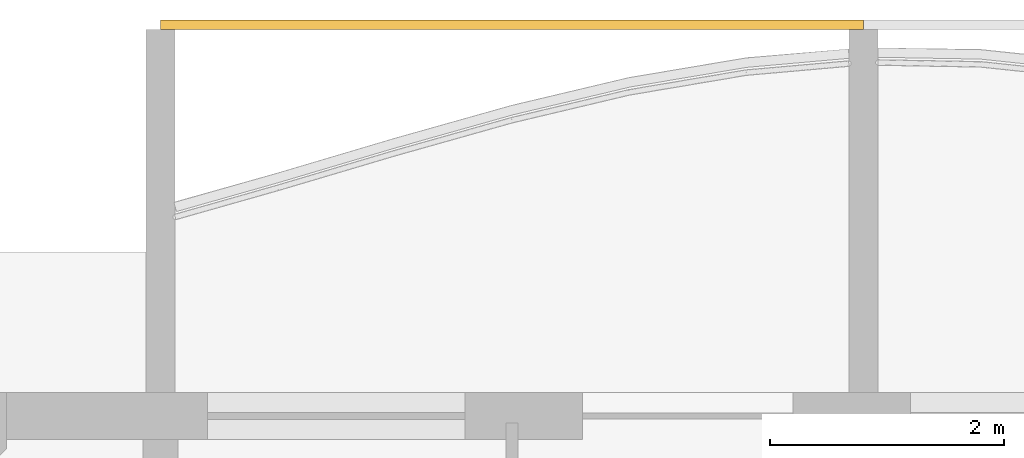
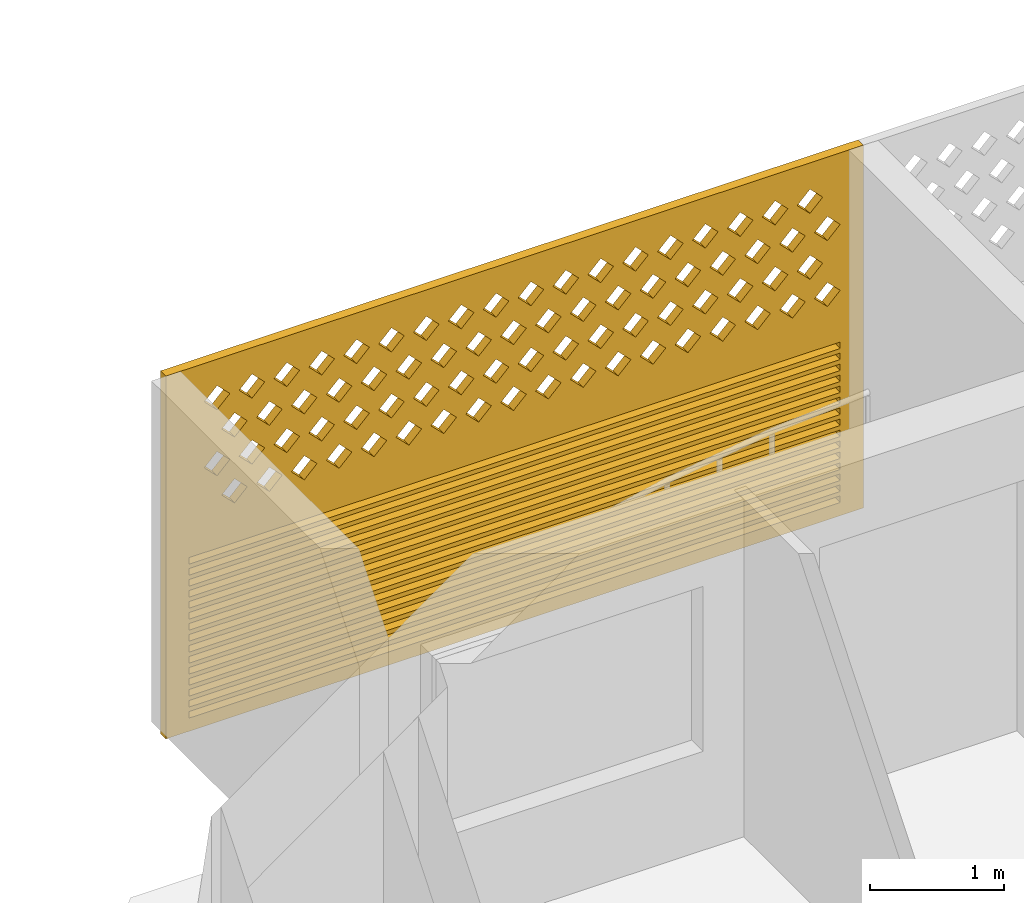
# One storey, part 18 of 32: 1 covering.
"""IFC4 building model written with IfcOpenShell, lengths in metres."""

from ifc_helpers import new_model, si_unit, direction, frame, origin, place, context, subcontext, project, spatial, polyline, outline, extrude, source, transform, mapped, material, material_profile, profile_set, type_object, element, save


model = new_model("IFC4")

# Units and contexts
model_context = context("Model", 3, precision=1e-05, world=origin(), true_north=direction((0.0, 1.0)))
body_context = subcontext(model_context, "Body", "Model", "MODEL_VIEW")
ifc_project = project(units=[si_unit("LENGTHUNIT", "METRE"), si_unit("AREAUNIT", "SQUARE_METRE"), si_unit("VOLUMEUNIT", "CUBIC_METRE"), si_unit("PLANEANGLEUNIT", "RADIAN"), si_unit("MASSUNIT", "GRAM", prefix="KILO")], contexts=[model_context])

# Site, building, storey
site_placement = place(None, origin())
site = spatial("IfcSite", under=ifc_project, at=site_placement, CompositionType="ELEMENT")
building_placement = place(site_placement, origin())
building = spatial("IfcBuilding", under=site, at=building_placement, Name="Poui Terraces", CompositionType="ELEMENT")
storey_placement = place(building_placement, frame((0.0, 0.0, 122.39990234375)))
storey = spatial("IfcBuildingStorey", under=building, at=storey_placement, Name="L33", CompositionType="ELEMENT", Elevation=122.39990234375)

# Covering
ifc_material = material(Name="Terracotta screen", Category="masonry")
ifc_material_profile = material_profile(ifc_material, outline(polyline([(-3.0, -1.64990234375), (3.0, -1.64990234375), (3.0, 1.64990234375), (-3.0, 1.64990234375), (-3.0, -1.64990234375)]), holes=[polyline([(-2.800048828125, 0.39990234375), (-2.68994140625, 0.2900390625), (-2.580078125, 0.39990234375), (-2.68994140625, 0.510009765625), (-2.800048828125, 0.39990234375)]), polyline([(-2.5, 0.39990234375), (-2.389892578125, 0.2900390625), (-2.280029296875, 0.39990234375), (-2.389892578125, 0.510009765625), (-2.5, 0.39990234375)]), polyline([(-2.199951171875, 0.39990234375), (-2.090087890625, 0.2900390625), (-1.97998046875, 0.39990234375), (-2.090087890625, 0.510009765625), (-2.199951171875, 0.39990234375)]), polyline([(-1.89990234375, 0.39990234375), (-1.7900390625, 0.2900390625), (-1.679931640625, 0.39990234375), (-1.7900390625, 0.510009765625), (-1.89990234375, 0.39990234375)]), polyline([(-1.60009765625, 0.39990234375), (-1.489990234375, 0.2900390625), (-1.3798828125, 0.39990234375), (-1.489990234375, 0.510009765625), (-1.60009765625, 0.39990234375)]), polyline([(-1.300048828125, 0.39990234375), (-1.18994140625, 0.2900390625), (-1.080078125, 0.39990234375), (-1.18994140625, 0.510009765625), (-1.300048828125, 0.39990234375)]), polyline([(-1.0, 0.39990234375), (-0.889892578125, 0.2900390625), (-0.780029296875, 0.39990234375), (-0.889892578125, 0.510009765625), (-1.0, 0.39990234375)]), polyline([(-0.699951171875, 0.39990234375), (-0.590087890625, 0.2900390625), (-0.47998046875, 0.39990234375), (-0.590087890625, 0.510009765625), (-0.699951171875, 0.39990234375)]), polyline([(-0.39990234375, 0.39990234375), (-0.2900390625, 0.2900390625), (-0.179931640625, 0.39990234375), (-0.2900390625, 0.510009765625), (-0.39990234375, 0.39990234375)]), polyline([(-0.10009765625, 0.39990234375), (0.010009765625, 0.2900390625), (0.1201171875, 0.39990234375), (0.010009765625, 0.510009765625), (-0.10009765625, 0.39990234375)]), polyline([(0.199951171875, 0.39990234375), (0.31005859375, 0.2900390625), (0.419921875, 0.39990234375), (0.31005859375, 0.510009765625), (0.199951171875, 0.39990234375)]), polyline([(0.5, 0.39990234375), (0.610107421875, 0.2900390625), (0.719970703125, 0.39990234375), (0.610107421875, 0.510009765625), (0.5, 0.39990234375)]), polyline([(0.800048828125, 0.39990234375), (0.909912109375, 0.2900390625), (1.02001953125, 0.39990234375), (0.909912109375, 0.510009765625), (0.800048828125, 0.39990234375)]), polyline([(1.10009765625, 0.39990234375), (1.2099609375, 0.2900390625), (1.320068359375, 0.39990234375), (1.2099609375, 0.510009765625), (1.10009765625, 0.39990234375)]), polyline([(1.39990234375, 0.39990234375), (1.510009765625, 0.2900390625), (1.6201171875, 0.39990234375), (1.510009765625, 0.510009765625), (1.39990234375, 0.39990234375)]), polyline([(1.699951171875, 0.39990234375), (1.81005859375, 0.2900390625), (1.919921875, 0.39990234375), (1.81005859375, 0.510009765625), (1.699951171875, 0.39990234375)]), polyline([(2.0, 0.39990234375), (2.110107421875, 0.2900390625), (2.219970703125, 0.39990234375), (2.110107421875, 0.510009765625), (2.0, 0.39990234375)]), polyline([(2.300048828125, 0.39990234375), (2.409912109375, 0.2900390625), (2.52001953125, 0.39990234375), (2.409912109375, 0.510009765625), (2.300048828125, 0.39990234375)]), polyline([(-2.64990234375, 0.699951171875), (-2.5400390625, 0.590087890625), (-2.429931640625, 0.699951171875), (-2.5400390625, 0.81005859375), (-2.64990234375, 0.699951171875)]), polyline([(-2.35009765625, 0.699951171875), (-2.239990234375, 0.590087890625), (-2.1298828125, 0.699951171875), (-2.239990234375, 0.81005859375), (-2.35009765625, 0.699951171875)]), polyline([(-2.050048828125, 0.699951171875), (-1.93994140625, 0.590087890625), (-1.830078125, 0.699951171875), (-1.93994140625, 0.81005859375), (-2.050048828125, 0.699951171875)]), polyline([(-1.75, 0.699951171875), (-1.639892578125, 0.590087890625), (-1.530029296875, 0.699951171875), (-1.639892578125, 0.81005859375), (-1.75, 0.699951171875)]), polyline([(-1.449951171875, 0.699951171875), (-1.340087890625, 0.590087890625), (-1.22998046875, 0.699951171875), (-1.340087890625, 0.81005859375), (-1.449951171875, 0.699951171875)]), polyline([(-1.14990234375, 0.699951171875), (-1.0400390625, 0.590087890625), (-0.929931640625, 0.699951171875), (-1.0400390625, 0.81005859375), (-1.14990234375, 0.699951171875)]), polyline([(-0.85009765625, 0.699951171875), (-0.739990234375, 0.590087890625), (-0.6298828125, 0.699951171875), (-0.739990234375, 0.81005859375), (-0.85009765625, 0.699951171875)]), polyline([(-0.550048828125, 0.699951171875), (-0.43994140625, 0.590087890625), (-0.330078125, 0.699951171875), (-0.43994140625, 0.81005859375), (-0.550048828125, 0.699951171875)]), polyline([(-0.25, 0.699951171875), (-0.139892578125, 0.590087890625), (-0.030029296875, 0.699951171875), (-0.139892578125, 0.81005859375), (-0.25, 0.699951171875)]), polyline([(0.050048828125, 0.699951171875), (0.159912109375, 0.590087890625), (0.27001953125, 0.699951171875), (0.159912109375, 0.81005859375), (0.050048828125, 0.699951171875)]), polyline([(0.35009765625, 0.699951171875), (0.4599609375, 0.590087890625), (0.570068359375, 0.699951171875), (0.4599609375, 0.81005859375), (0.35009765625, 0.699951171875)]), polyline([(0.64990234375, 0.699951171875), (0.760009765625, 0.590087890625), (0.8701171875, 0.699951171875), (0.760009765625, 0.81005859375), (0.64990234375, 0.699951171875)]), polyline([(0.949951171875, 0.699951171875), (1.06005859375, 0.590087890625), (1.169921875, 0.699951171875), (1.06005859375, 0.81005859375), (0.949951171875, 0.699951171875)]), polyline([(1.25, 0.699951171875), (1.360107421875, 0.590087890625), (1.469970703125, 0.699951171875), (1.360107421875, 0.81005859375), (1.25, 0.699951171875)]), polyline([(1.550048828125, 0.699951171875), (1.659912109375, 0.590087890625), (1.77001953125, 0.699951171875), (1.659912109375, 0.81005859375), (1.550048828125, 0.699951171875)]), polyline([(1.85009765625, 0.699951171875), (1.9599609375, 0.590087890625), (2.070068359375, 0.699951171875), (1.9599609375, 0.81005859375), (1.85009765625, 0.699951171875)]), polyline([(2.14990234375, 0.699951171875), (2.260009765625, 0.590087890625), (2.3701171875, 0.699951171875), (2.260009765625, 0.81005859375), (2.14990234375, 0.699951171875)]), polyline([(2.449951171875, 0.699951171875), (2.56005859375, 0.590087890625), (2.669921875, 0.699951171875), (2.56005859375, 0.81005859375), (2.449951171875, 0.699951171875)]), polyline([(-2.800048828125, 1.0), (-2.68994140625, 0.889892578125), (-2.580078125, 1.0), (-2.68994140625, 1.110107421875), (-2.800048828125, 1.0)]), polyline([(-2.5, 1.0), (-2.389892578125, 0.889892578125), (-2.280029296875, 1.0), (-2.389892578125, 1.110107421875), (-2.5, 1.0)]), polyline([(-2.199951171875, 1.0), (-2.090087890625, 0.889892578125), (-1.97998046875, 1.0), (-2.090087890625, 1.110107421875), (-2.199951171875, 1.0)]), polyline([(-1.89990234375, 1.0), (-1.7900390625, 0.889892578125), (-1.679931640625, 1.0), (-1.7900390625, 1.110107421875), (-1.89990234375, 1.0)]), polyline([(-1.60009765625, 1.0), (-1.489990234375, 0.889892578125), (-1.3798828125, 1.0), (-1.489990234375, 1.110107421875), (-1.60009765625, 1.0)]), polyline([(-1.300048828125, 1.0), (-1.18994140625, 0.889892578125), (-1.080078125, 1.0), (-1.18994140625, 1.110107421875), (-1.300048828125, 1.0)]), polyline([(-1.0, 1.0), (-0.889892578125, 0.889892578125), (-0.780029296875, 1.0), (-0.889892578125, 1.110107421875), (-1.0, 1.0)]), polyline([(-0.699951171875, 1.0), (-0.590087890625, 0.889892578125), (-0.47998046875, 1.0), (-0.590087890625, 1.110107421875), (-0.699951171875, 1.0)]), polyline([(-0.39990234375, 1.0), (-0.2900390625, 0.889892578125), (-0.179931640625, 1.0), (-0.2900390625, 1.110107421875), (-0.39990234375, 1.0)]), polyline([(-0.10009765625, 1.0), (0.010009765625, 0.889892578125), (0.1201171875, 1.0), (0.010009765625, 1.110107421875), (-0.10009765625, 1.0)]), polyline([(0.199951171875, 1.0), (0.31005859375, 0.889892578125), (0.419921875, 1.0), (0.31005859375, 1.110107421875), (0.199951171875, 1.0)]), polyline([(0.5, 1.0), (0.610107421875, 0.889892578125), (0.719970703125, 1.0), (0.610107421875, 1.110107421875), (0.5, 1.0)]), polyline([(0.800048828125, 1.0), (0.909912109375, 0.889892578125), (1.02001953125, 1.0), (0.909912109375, 1.110107421875), (0.800048828125, 1.0)]), polyline([(1.10009765625, 1.0), (1.2099609375, 0.889892578125), (1.320068359375, 1.0), (1.2099609375, 1.110107421875), (1.10009765625, 1.0)]), polyline([(1.39990234375, 1.0), (1.510009765625, 0.889892578125), (1.6201171875, 1.0), (1.510009765625, 1.110107421875), (1.39990234375, 1.0)]), polyline([(1.699951171875, 1.0), (1.81005859375, 0.889892578125), (1.919921875, 1.0), (1.81005859375, 1.110107421875), (1.699951171875, 1.0)]), polyline([(2.0, 1.0), (2.110107421875, 0.889892578125), (2.219970703125, 1.0), (2.110107421875, 1.110107421875), (2.0, 1.0)]), polyline([(2.300048828125, 1.0), (2.409912109375, 0.889892578125), (2.52001953125, 1.0), (2.409912109375, 1.110107421875), (2.300048828125, 1.0)]), polyline([(-2.64990234375, 1.300048828125), (-2.5400390625, 1.18994140625), (-2.429931640625, 1.300048828125), (-2.5400390625, 1.409912109375), (-2.64990234375, 1.300048828125)]), polyline([(-2.35009765625, 1.300048828125), (-2.239990234375, 1.18994140625), (-2.1298828125, 1.300048828125), (-2.239990234375, 1.409912109375), (-2.35009765625, 1.300048828125)]), polyline([(-2.050048828125, 1.300048828125), (-1.93994140625, 1.18994140625), (-1.830078125, 1.300048828125), (-1.93994140625, 1.409912109375), (-2.050048828125, 1.300048828125)]), polyline([(-1.75, 1.300048828125), (-1.639892578125, 1.18994140625), (-1.530029296875, 1.300048828125), (-1.639892578125, 1.409912109375), (-1.75, 1.300048828125)]), polyline([(-1.449951171875, 1.300048828125), (-1.340087890625, 1.18994140625), (-1.22998046875, 1.300048828125), (-1.340087890625, 1.409912109375), (-1.449951171875, 1.300048828125)]), polyline([(-1.14990234375, 1.300048828125), (-1.0400390625, 1.18994140625), (-0.929931640625, 1.300048828125), (-1.0400390625, 1.409912109375), (-1.14990234375, 1.300048828125)]), polyline([(-0.85009765625, 1.300048828125), (-0.739990234375, 1.18994140625), (-0.6298828125, 1.300048828125), (-0.739990234375, 1.409912109375), (-0.85009765625, 1.300048828125)]), polyline([(-0.550048828125, 1.300048828125), (-0.43994140625, 1.18994140625), (-0.330078125, 1.300048828125), (-0.43994140625, 1.409912109375), (-0.550048828125, 1.300048828125)]), polyline([(-0.25, 1.300048828125), (-0.139892578125, 1.18994140625), (-0.030029296875, 1.300048828125), (-0.139892578125, 1.409912109375), (-0.25, 1.300048828125)]), polyline([(0.050048828125, 1.300048828125), (0.159912109375, 1.18994140625), (0.27001953125, 1.300048828125), (0.159912109375, 1.409912109375), (0.050048828125, 1.300048828125)]), polyline([(0.35009765625, 1.300048828125), (0.4599609375, 1.18994140625), (0.570068359375, 1.300048828125), (0.4599609375, 1.409912109375), (0.35009765625, 1.300048828125)]), polyline([(0.64990234375, 1.300048828125), (0.760009765625, 1.18994140625), (0.8701171875, 1.300048828125), (0.760009765625, 1.409912109375), (0.64990234375, 1.300048828125)]), polyline([(0.949951171875, 1.300048828125), (1.06005859375, 1.18994140625), (1.169921875, 1.300048828125), (1.06005859375, 1.409912109375), (0.949951171875, 1.300048828125)]), polyline([(1.25, 1.300048828125), (1.360107421875, 1.18994140625), (1.469970703125, 1.300048828125), (1.360107421875, 1.409912109375), (1.25, 1.300048828125)]), polyline([(1.550048828125, 1.300048828125), (1.659912109375, 1.18994140625), (1.77001953125, 1.300048828125), (1.659912109375, 1.409912109375), (1.550048828125, 1.300048828125)]), polyline([(1.85009765625, 1.300048828125), (1.9599609375, 1.18994140625), (2.070068359375, 1.300048828125), (1.9599609375, 1.409912109375), (1.85009765625, 1.300048828125)]), polyline([(2.14990234375, 1.300048828125), (2.260009765625, 1.18994140625), (2.3701171875, 1.300048828125), (2.260009765625, 1.409912109375), (2.14990234375, 1.300048828125)]), polyline([(2.449951171875, 1.300048828125), (2.56005859375, 1.18994140625), (2.669921875, 1.300048828125), (2.56005859375, 1.409912109375), (2.449951171875, 1.300048828125)]), polyline([(-2.800048828125, -1.530029296875), (2.800048828125, -1.530029296875), (2.800048828125, -1.469970703125), (-2.800048828125, -1.469970703125), (-2.800048828125, -1.530029296875)]), polyline([(-2.800048828125, -1.429931640625), (2.800048828125, -1.429931640625), (2.800048828125, -1.3701171875), (-2.800048828125, -1.3701171875), (-2.800048828125, -1.429931640625)]), polyline([(-2.800048828125, -1.330078125), (2.800048828125, -1.330078125), (2.800048828125, -1.27001953125), (-2.800048828125, -1.27001953125), (-2.800048828125, -1.330078125)]), polyline([(-2.800048828125, -1.22998046875), (2.800048828125, -1.22998046875), (2.800048828125, -1.169921875), (-2.800048828125, -1.169921875), (-2.800048828125, -1.22998046875)]), polyline([(-2.800048828125, -1.1298828125), (2.800048828125, -1.1298828125), (2.800048828125, -1.070068359375), (-2.800048828125, -1.070068359375), (-2.800048828125, -1.1298828125)]), polyline([(-2.800048828125, -1.030029296875), (2.800048828125, -1.030029296875), (2.800048828125, -0.969970703125), (-2.800048828125, -0.969970703125), (-2.800048828125, -1.030029296875)]), polyline([(-2.800048828125, -0.929931640625), (2.800048828125, -0.929931640625), (2.800048828125, -0.8701171875), (-2.800048828125, -0.8701171875), (-2.800048828125, -0.929931640625)]), polyline([(-2.800048828125, -0.830078125), (2.800048828125, -0.830078125), (2.800048828125, -0.77001953125), (-2.800048828125, -0.77001953125), (-2.800048828125, -0.830078125)]), polyline([(-2.800048828125, -0.72998046875), (2.800048828125, -0.72998046875), (2.800048828125, -0.669921875), (-2.800048828125, -0.669921875), (-2.800048828125, -0.72998046875)]), polyline([(-2.800048828125, -0.6298828125), (2.800048828125, -0.6298828125), (2.800048828125, -0.570068359375), (-2.800048828125, -0.570068359375), (-2.800048828125, -0.6298828125)]), polyline([(-2.800048828125, -0.530029296875), (2.800048828125, -0.530029296875), (2.800048828125, -0.469970703125), (-2.800048828125, -0.469970703125), (-2.800048828125, -0.530029296875)]), polyline([(-2.800048828125, -0.429931640625), (2.800048828125, -0.429931640625), (2.800048828125, -0.3701171875), (-2.800048828125, -0.3701171875), (-2.800048828125, -0.429931640625)]), polyline([(-2.800048828125, -0.330078125), (2.800048828125, -0.330078125), (2.800048828125, -0.27001953125), (-2.800048828125, -0.27001953125), (-2.800048828125, -0.330078125)]), polyline([(-2.800048828125, -0.22998046875), (2.800048828125, -0.22998046875), (2.800048828125, -0.169921875), (-2.800048828125, -0.169921875), (-2.800048828125, -0.22998046875)]), polyline([(-2.800048828125, -0.1298828125), (2.800048828125, -0.1298828125), (2.800048828125, -0.070068359375), (-2.800048828125, -0.070068359375), (-2.800048828125, -0.1298828125)])]), Name="TERRACOTTA SCREEN AND JALOUSIE LOUVRE 6000X3300")
ifc_profile_set = profile_set([ifc_material_profile], Name="Terracotta screen")
covering_type = type_object("IfcCoveringType", Name="TERRACOTTA SCREEN AND JALOUSIE LOUVRE 6000X3300", PredefinedType="CLADDING", material=ifc_profile_set)
shared_shape = source(origin(), body_context, "Body", "SweptSolid", [
    extrude(outline(polyline([(-3.0, -1.64990234375), (3.0, -1.64990234375), (3.0, 1.64990234375), (-3.0, 1.64990234375), (-3.0, -1.64990234375)]), holes=[polyline([(-2.800048828125, 0.39990234375), (-2.68994140625, 0.2900390625), (-2.580078125, 0.39990234375), (-2.68994140625, 0.510009765625), (-2.800048828125, 0.39990234375)]), polyline([(-2.5, 0.39990234375), (-2.389892578125, 0.2900390625), (-2.280029296875, 0.39990234375), (-2.389892578125, 0.510009765625), (-2.5, 0.39990234375)]), polyline([(-2.199951171875, 0.39990234375), (-2.090087890625, 0.2900390625), (-1.97998046875, 0.39990234375), (-2.090087890625, 0.510009765625), (-2.199951171875, 0.39990234375)]), polyline([(-1.89990234375, 0.39990234375), (-1.7900390625, 0.2900390625), (-1.679931640625, 0.39990234375), (-1.7900390625, 0.510009765625), (-1.89990234375, 0.39990234375)]), polyline([(-1.60009765625, 0.39990234375), (-1.489990234375, 0.2900390625), (-1.3798828125, 0.39990234375), (-1.489990234375, 0.510009765625), (-1.60009765625, 0.39990234375)]), polyline([(-1.300048828125, 0.39990234375), (-1.18994140625, 0.2900390625), (-1.080078125, 0.39990234375), (-1.18994140625, 0.510009765625), (-1.300048828125, 0.39990234375)]), polyline([(-1.0, 0.39990234375), (-0.889892578125, 0.2900390625), (-0.780029296875, 0.39990234375), (-0.889892578125, 0.510009765625), (-1.0, 0.39990234375)]), polyline([(-0.699951171875, 0.39990234375), (-0.590087890625, 0.2900390625), (-0.47998046875, 0.39990234375), (-0.590087890625, 0.510009765625), (-0.699951171875, 0.39990234375)]), polyline([(-0.39990234375, 0.39990234375), (-0.2900390625, 0.2900390625), (-0.179931640625, 0.39990234375), (-0.2900390625, 0.510009765625), (-0.39990234375, 0.39990234375)]), polyline([(-0.10009765625, 0.39990234375), (0.010009765625, 0.2900390625), (0.1201171875, 0.39990234375), (0.010009765625, 0.510009765625), (-0.10009765625, 0.39990234375)]), polyline([(0.199951171875, 0.39990234375), (0.31005859375, 0.2900390625), (0.419921875, 0.39990234375), (0.31005859375, 0.510009765625), (0.199951171875, 0.39990234375)]), polyline([(0.5, 0.39990234375), (0.610107421875, 0.2900390625), (0.719970703125, 0.39990234375), (0.610107421875, 0.510009765625), (0.5, 0.39990234375)]), polyline([(0.800048828125, 0.39990234375), (0.909912109375, 0.2900390625), (1.02001953125, 0.39990234375), (0.909912109375, 0.510009765625), (0.800048828125, 0.39990234375)]), polyline([(1.10009765625, 0.39990234375), (1.2099609375, 0.2900390625), (1.320068359375, 0.39990234375), (1.2099609375, 0.510009765625), (1.10009765625, 0.39990234375)]), polyline([(1.39990234375, 0.39990234375), (1.510009765625, 0.2900390625), (1.6201171875, 0.39990234375), (1.510009765625, 0.510009765625), (1.39990234375, 0.39990234375)]), polyline([(1.699951171875, 0.39990234375), (1.81005859375, 0.2900390625), (1.919921875, 0.39990234375), (1.81005859375, 0.510009765625), (1.699951171875, 0.39990234375)]), polyline([(2.0, 0.39990234375), (2.110107421875, 0.2900390625), (2.219970703125, 0.39990234375), (2.110107421875, 0.510009765625), (2.0, 0.39990234375)]), polyline([(2.300048828125, 0.39990234375), (2.409912109375, 0.2900390625), (2.52001953125, 0.39990234375), (2.409912109375, 0.510009765625), (2.300048828125, 0.39990234375)]), polyline([(-2.64990234375, 0.699951171875), (-2.5400390625, 0.590087890625), (-2.429931640625, 0.699951171875), (-2.5400390625, 0.81005859375), (-2.64990234375, 0.699951171875)]), polyline([(-2.35009765625, 0.699951171875), (-2.239990234375, 0.590087890625), (-2.1298828125, 0.699951171875), (-2.239990234375, 0.81005859375), (-2.35009765625, 0.699951171875)]), polyline([(-2.050048828125, 0.699951171875), (-1.93994140625, 0.590087890625), (-1.830078125, 0.699951171875), (-1.93994140625, 0.81005859375), (-2.050048828125, 0.699951171875)]), polyline([(-1.75, 0.699951171875), (-1.639892578125, 0.590087890625), (-1.530029296875, 0.699951171875), (-1.639892578125, 0.81005859375), (-1.75, 0.699951171875)]), polyline([(-1.449951171875, 0.699951171875), (-1.340087890625, 0.590087890625), (-1.22998046875, 0.699951171875), (-1.340087890625, 0.81005859375), (-1.449951171875, 0.699951171875)]), polyline([(-1.14990234375, 0.699951171875), (-1.0400390625, 0.590087890625), (-0.929931640625, 0.699951171875), (-1.0400390625, 0.81005859375), (-1.14990234375, 0.699951171875)]), polyline([(-0.85009765625, 0.699951171875), (-0.739990234375, 0.590087890625), (-0.6298828125, 0.699951171875), (-0.739990234375, 0.81005859375), (-0.85009765625, 0.699951171875)]), polyline([(-0.550048828125, 0.699951171875), (-0.43994140625, 0.590087890625), (-0.330078125, 0.699951171875), (-0.43994140625, 0.81005859375), (-0.550048828125, 0.699951171875)]), polyline([(-0.25, 0.699951171875), (-0.139892578125, 0.590087890625), (-0.030029296875, 0.699951171875), (-0.139892578125, 0.81005859375), (-0.25, 0.699951171875)]), polyline([(0.050048828125, 0.699951171875), (0.159912109375, 0.590087890625), (0.27001953125, 0.699951171875), (0.159912109375, 0.81005859375), (0.050048828125, 0.699951171875)]), polyline([(0.35009765625, 0.699951171875), (0.4599609375, 0.590087890625), (0.570068359375, 0.699951171875), (0.4599609375, 0.81005859375), (0.35009765625, 0.699951171875)]), polyline([(0.64990234375, 0.699951171875), (0.760009765625, 0.590087890625), (0.8701171875, 0.699951171875), (0.760009765625, 0.81005859375), (0.64990234375, 0.699951171875)]), polyline([(0.949951171875, 0.699951171875), (1.06005859375, 0.590087890625), (1.169921875, 0.699951171875), (1.06005859375, 0.81005859375), (0.949951171875, 0.699951171875)]), polyline([(1.25, 0.699951171875), (1.360107421875, 0.590087890625), (1.469970703125, 0.699951171875), (1.360107421875, 0.81005859375), (1.25, 0.699951171875)]), polyline([(1.550048828125, 0.699951171875), (1.659912109375, 0.590087890625), (1.77001953125, 0.699951171875), (1.659912109375, 0.81005859375), (1.550048828125, 0.699951171875)]), polyline([(1.85009765625, 0.699951171875), (1.9599609375, 0.590087890625), (2.070068359375, 0.699951171875), (1.9599609375, 0.81005859375), (1.85009765625, 0.699951171875)]), polyline([(2.14990234375, 0.699951171875), (2.260009765625, 0.590087890625), (2.3701171875, 0.699951171875), (2.260009765625, 0.81005859375), (2.14990234375, 0.699951171875)]), polyline([(2.449951171875, 0.699951171875), (2.56005859375, 0.590087890625), (2.669921875, 0.699951171875), (2.56005859375, 0.81005859375), (2.449951171875, 0.699951171875)]), polyline([(-2.800048828125, 1.0), (-2.68994140625, 0.889892578125), (-2.580078125, 1.0), (-2.68994140625, 1.110107421875), (-2.800048828125, 1.0)]), polyline([(-2.5, 1.0), (-2.389892578125, 0.889892578125), (-2.280029296875, 1.0), (-2.389892578125, 1.110107421875), (-2.5, 1.0)]), polyline([(-2.199951171875, 1.0), (-2.090087890625, 0.889892578125), (-1.97998046875, 1.0), (-2.090087890625, 1.110107421875), (-2.199951171875, 1.0)]), polyline([(-1.89990234375, 1.0), (-1.7900390625, 0.889892578125), (-1.679931640625, 1.0), (-1.7900390625, 1.110107421875), (-1.89990234375, 1.0)]), polyline([(-1.60009765625, 1.0), (-1.489990234375, 0.889892578125), (-1.3798828125, 1.0), (-1.489990234375, 1.110107421875), (-1.60009765625, 1.0)]), polyline([(-1.300048828125, 1.0), (-1.18994140625, 0.889892578125), (-1.080078125, 1.0), (-1.18994140625, 1.110107421875), (-1.300048828125, 1.0)]), polyline([(-1.0, 1.0), (-0.889892578125, 0.889892578125), (-0.780029296875, 1.0), (-0.889892578125, 1.110107421875), (-1.0, 1.0)]), polyline([(-0.699951171875, 1.0), (-0.590087890625, 0.889892578125), (-0.47998046875, 1.0), (-0.590087890625, 1.110107421875), (-0.699951171875, 1.0)]), polyline([(-0.39990234375, 1.0), (-0.2900390625, 0.889892578125), (-0.179931640625, 1.0), (-0.2900390625, 1.110107421875), (-0.39990234375, 1.0)]), polyline([(-0.10009765625, 1.0), (0.010009765625, 0.889892578125), (0.1201171875, 1.0), (0.010009765625, 1.110107421875), (-0.10009765625, 1.0)]), polyline([(0.199951171875, 1.0), (0.31005859375, 0.889892578125), (0.419921875, 1.0), (0.31005859375, 1.110107421875), (0.199951171875, 1.0)]), polyline([(0.5, 1.0), (0.610107421875, 0.889892578125), (0.719970703125, 1.0), (0.610107421875, 1.110107421875), (0.5, 1.0)]), polyline([(0.800048828125, 1.0), (0.909912109375, 0.889892578125), (1.02001953125, 1.0), (0.909912109375, 1.110107421875), (0.800048828125, 1.0)]), polyline([(1.10009765625, 1.0), (1.2099609375, 0.889892578125), (1.320068359375, 1.0), (1.2099609375, 1.110107421875), (1.10009765625, 1.0)]), polyline([(1.39990234375, 1.0), (1.510009765625, 0.889892578125), (1.6201171875, 1.0), (1.510009765625, 1.110107421875), (1.39990234375, 1.0)]), polyline([(1.699951171875, 1.0), (1.81005859375, 0.889892578125), (1.919921875, 1.0), (1.81005859375, 1.110107421875), (1.699951171875, 1.0)]), polyline([(2.0, 1.0), (2.110107421875, 0.889892578125), (2.219970703125, 1.0), (2.110107421875, 1.110107421875), (2.0, 1.0)]), polyline([(2.300048828125, 1.0), (2.409912109375, 0.889892578125), (2.52001953125, 1.0), (2.409912109375, 1.110107421875), (2.300048828125, 1.0)]), polyline([(-2.64990234375, 1.300048828125), (-2.5400390625, 1.18994140625), (-2.429931640625, 1.300048828125), (-2.5400390625, 1.409912109375), (-2.64990234375, 1.300048828125)]), polyline([(-2.35009765625, 1.300048828125), (-2.239990234375, 1.18994140625), (-2.1298828125, 1.300048828125), (-2.239990234375, 1.409912109375), (-2.35009765625, 1.300048828125)]), polyline([(-2.050048828125, 1.300048828125), (-1.93994140625, 1.18994140625), (-1.830078125, 1.300048828125), (-1.93994140625, 1.409912109375), (-2.050048828125, 1.300048828125)]), polyline([(-1.75, 1.300048828125), (-1.639892578125, 1.18994140625), (-1.530029296875, 1.300048828125), (-1.639892578125, 1.409912109375), (-1.75, 1.300048828125)]), polyline([(-1.449951171875, 1.300048828125), (-1.340087890625, 1.18994140625), (-1.22998046875, 1.300048828125), (-1.340087890625, 1.409912109375), (-1.449951171875, 1.300048828125)]), polyline([(-1.14990234375, 1.300048828125), (-1.0400390625, 1.18994140625), (-0.929931640625, 1.300048828125), (-1.0400390625, 1.409912109375), (-1.14990234375, 1.300048828125)]), polyline([(-0.85009765625, 1.300048828125), (-0.739990234375, 1.18994140625), (-0.6298828125, 1.300048828125), (-0.739990234375, 1.409912109375), (-0.85009765625, 1.300048828125)]), polyline([(-0.550048828125, 1.300048828125), (-0.43994140625, 1.18994140625), (-0.330078125, 1.300048828125), (-0.43994140625, 1.409912109375), (-0.550048828125, 1.300048828125)]), polyline([(-0.25, 1.300048828125), (-0.139892578125, 1.18994140625), (-0.030029296875, 1.300048828125), (-0.139892578125, 1.409912109375), (-0.25, 1.300048828125)]), polyline([(0.050048828125, 1.300048828125), (0.159912109375, 1.18994140625), (0.27001953125, 1.300048828125), (0.159912109375, 1.409912109375), (0.050048828125, 1.300048828125)]), polyline([(0.35009765625, 1.300048828125), (0.4599609375, 1.18994140625), (0.570068359375, 1.300048828125), (0.4599609375, 1.409912109375), (0.35009765625, 1.300048828125)]), polyline([(0.64990234375, 1.300048828125), (0.760009765625, 1.18994140625), (0.8701171875, 1.300048828125), (0.760009765625, 1.409912109375), (0.64990234375, 1.300048828125)]), polyline([(0.949951171875, 1.300048828125), (1.06005859375, 1.18994140625), (1.169921875, 1.300048828125), (1.06005859375, 1.409912109375), (0.949951171875, 1.300048828125)]), polyline([(1.25, 1.300048828125), (1.360107421875, 1.18994140625), (1.469970703125, 1.300048828125), (1.360107421875, 1.409912109375), (1.25, 1.300048828125)]), polyline([(1.550048828125, 1.300048828125), (1.659912109375, 1.18994140625), (1.77001953125, 1.300048828125), (1.659912109375, 1.409912109375), (1.550048828125, 1.300048828125)]), polyline([(1.85009765625, 1.300048828125), (1.9599609375, 1.18994140625), (2.070068359375, 1.300048828125), (1.9599609375, 1.409912109375), (1.85009765625, 1.300048828125)]), polyline([(2.14990234375, 1.300048828125), (2.260009765625, 1.18994140625), (2.3701171875, 1.300048828125), (2.260009765625, 1.409912109375), (2.14990234375, 1.300048828125)]), polyline([(2.449951171875, 1.300048828125), (2.56005859375, 1.18994140625), (2.669921875, 1.300048828125), (2.56005859375, 1.409912109375), (2.449951171875, 1.300048828125)]), polyline([(-2.800048828125, -1.530029296875), (2.800048828125, -1.530029296875), (2.800048828125, -1.469970703125), (-2.800048828125, -1.469970703125), (-2.800048828125, -1.530029296875)]), polyline([(-2.800048828125, -1.429931640625), (2.800048828125, -1.429931640625), (2.800048828125, -1.3701171875), (-2.800048828125, -1.3701171875), (-2.800048828125, -1.429931640625)]), polyline([(-2.800048828125, -1.330078125), (2.800048828125, -1.330078125), (2.800048828125, -1.27001953125), (-2.800048828125, -1.27001953125), (-2.800048828125, -1.330078125)]), polyline([(-2.800048828125, -1.22998046875), (2.800048828125, -1.22998046875), (2.800048828125, -1.169921875), (-2.800048828125, -1.169921875), (-2.800048828125, -1.22998046875)]), polyline([(-2.800048828125, -1.1298828125), (2.800048828125, -1.1298828125), (2.800048828125, -1.070068359375), (-2.800048828125, -1.070068359375), (-2.800048828125, -1.1298828125)]), polyline([(-2.800048828125, -1.030029296875), (2.800048828125, -1.030029296875), (2.800048828125, -0.969970703125), (-2.800048828125, -0.969970703125), (-2.800048828125, -1.030029296875)]), polyline([(-2.800048828125, -0.929931640625), (2.800048828125, -0.929931640625), (2.800048828125, -0.8701171875), (-2.800048828125, -0.8701171875), (-2.800048828125, -0.929931640625)]), polyline([(-2.800048828125, -0.830078125), (2.800048828125, -0.830078125), (2.800048828125, -0.77001953125), (-2.800048828125, -0.77001953125), (-2.800048828125, -0.830078125)]), polyline([(-2.800048828125, -0.72998046875), (2.800048828125, -0.72998046875), (2.800048828125, -0.669921875), (-2.800048828125, -0.669921875), (-2.800048828125, -0.72998046875)]), polyline([(-2.800048828125, -0.6298828125), (2.800048828125, -0.6298828125), (2.800048828125, -0.570068359375), (-2.800048828125, -0.570068359375), (-2.800048828125, -0.6298828125)]), polyline([(-2.800048828125, -0.530029296875), (2.800048828125, -0.530029296875), (2.800048828125, -0.469970703125), (-2.800048828125, -0.469970703125), (-2.800048828125, -0.530029296875)]), polyline([(-2.800048828125, -0.429931640625), (2.800048828125, -0.429931640625), (2.800048828125, -0.3701171875), (-2.800048828125, -0.3701171875), (-2.800048828125, -0.429931640625)]), polyline([(-2.800048828125, -0.330078125), (2.800048828125, -0.330078125), (2.800048828125, -0.27001953125), (-2.800048828125, -0.27001953125), (-2.800048828125, -0.330078125)]), polyline([(-2.800048828125, -0.22998046875), (2.800048828125, -0.22998046875), (2.800048828125, -0.169921875), (-2.800048828125, -0.169921875), (-2.800048828125, -0.22998046875)]), polyline([(-2.800048828125, -0.1298828125), (2.800048828125, -0.1298828125), (2.800048828125, -0.070068359375), (-2.800048828125, -0.070068359375), (-2.800048828125, -0.1298828125)])]), origin(), (0.0, 0.0, 1.0), 0.080078125),
])
covering_placement = place(storey_placement, frame((21.0, 45.699951171875, 1.4501953125), z_axis=(0.0, 1.0, 0.0), x_axis=(-1.0, 0.0, 0.0)))
element("IfcCovering", 1, at=covering_placement, inside=storey, type_object=covering_type, Name="SOLAR SCREEN AND JALOUSIE LOUVRE", PredefinedType="CLADDING", context=body_context, shape_type="MappedRepresentation", body=[
    mapped(shared_shape, transform((0.0, 0.0, 0.0))),
])

save(model, "model.ifc")
